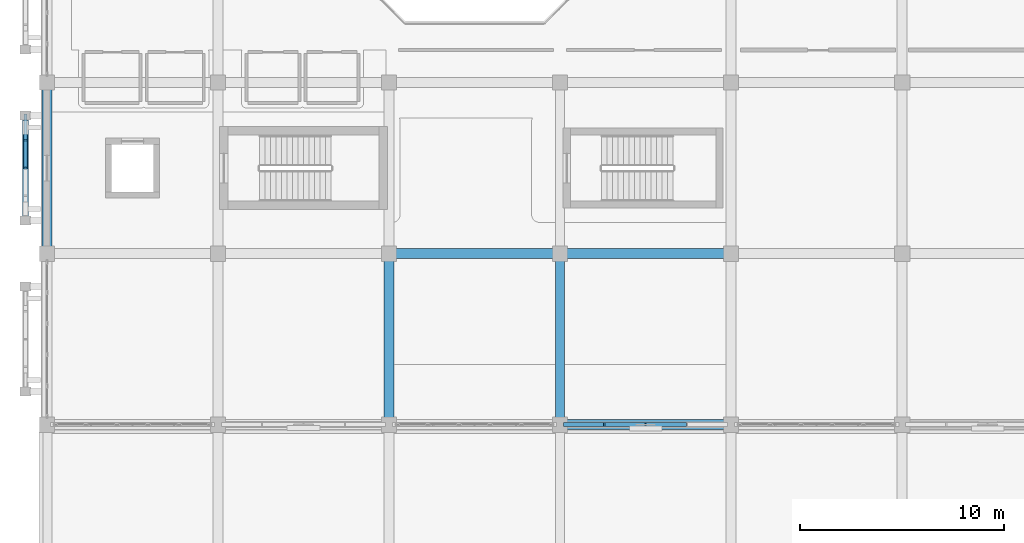
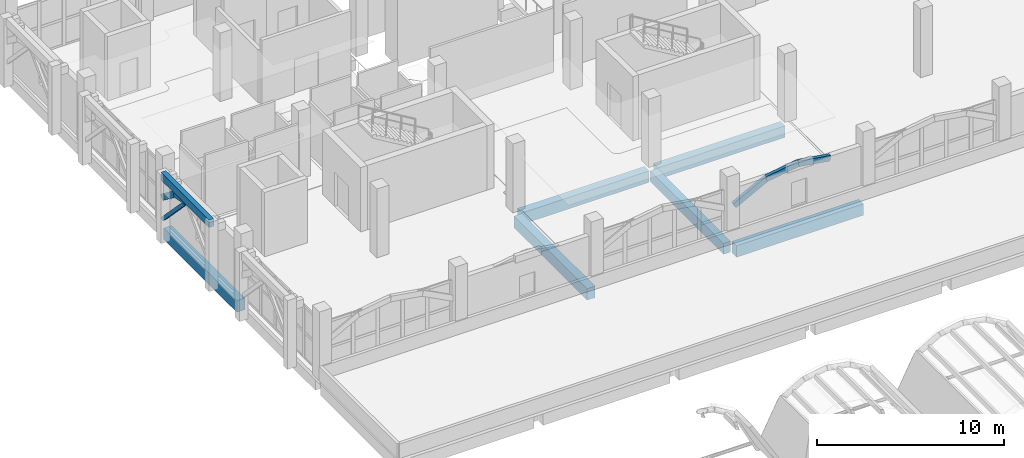
# One storey, part 42 of 114: 7 beams, 6 members.
"""IFC4 building model written with IfcOpenShell, lengths in metres."""

from ifc_helpers import new_model, si_unit, direction, frame, origin, origin_2d, place, context, subcontext, project, spatial, rectangle, extrude, material, material_profile, profile_set, type_object, element, save


model = new_model("IFC4")

# Units and contexts
model_context = context("Model", 3, precision=1e-05, world=origin(), true_north=direction((0.0, 1.0)))
body_context = subcontext(model_context, "Body", "Model", "MODEL_VIEW")
ifc_project = project(units=[si_unit("LENGTHUNIT", "METRE"), si_unit("AREAUNIT", "SQUARE_METRE"), si_unit("VOLUMEUNIT", "CUBIC_METRE"), si_unit("PLANEANGLEUNIT", "RADIAN"), si_unit("MASSUNIT", "GRAM", prefix="KILO")], contexts=[model_context])

# Site, building, storey
site_placement = place(None, origin())
site = spatial("IfcSite", under=ifc_project, at=site_placement, CompositionType="ELEMENT")
building_placement = place(site_placement, origin())
building = spatial("IfcBuilding", under=site, at=building_placement, Name="Xazarin Passage Department Store", CompositionType="ELEMENT")
storey_placement = place(building_placement, frame((0.0, 0.0, 14.39990234375)))
storey = spatial("IfcBuildingStorey", under=building, at=storey_placement, Name="L03", CompositionType="ELEMENT", Elevation=14.39990234375)

# Beams
ifc_material_1 = material(Name="Concrete C35/45", Category="concrete")
ifc_material_profile_1 = material_profile(ifc_material_1, rectangle(XDim=0.449951171875, YDim=0.699951171875, at=origin_2d()), Name="RC 450x700")
ifc_profile_set_1 = profile_set([ifc_material_profile_1], Name="Concrete C35/45")
beam_type_1 = type_object("IfcBeamType", Name="STR-BM-G450x700", PredefinedType="BEAM", material=ifc_profile_set_1)
beam_1_placement = place(storey_placement, frame((25.199951171875, 68.280029296875, -0.64990234375), z_axis=(0.0, 1.0, 0.0), x_axis=(-1.0, 0.0, 0.0)))
element("IfcBeam", 1, at=beam_1_placement, inside=storey, type_object=beam_type_1, Name="L03 Grid Beam 4/K-L", PredefinedType="BEAM", context=body_context, shape_type="SweptSolid", body=[
    extrude(rectangle(XDim=0.449951171875, YDim=0.699951171875, at=origin_2d()), origin(), (0.0, 0.0, 1.0), 7.840087890625),
])
ifc_material_profile_2 = material_profile(ifc_material_1, rectangle(XDim=0.300048828125, YDim=0.5, at=origin_2d()), Name="RC 300x500")
ifc_profile_set_2 = profile_set([ifc_material_profile_2], Name="Concrete C35/45")
beam_type_2 = type_object("IfcBeamType", Name="STR-BM-LN300x500", PredefinedType="LINTEL", material=ifc_profile_set_2)
beam_2_placement = place(storey_placement, frame((-1.050048828125, 78.02001953125, 4.25), z_axis=(0.0, 1.0, 0.0), x_axis=(-1.0, 0.0, 0.0)))
element("IfcBeam", 2, at=beam_2_placement, inside=storey, type_object=beam_type_2, Name="L03 V1 Colonnade Spandrel Beam 011", PredefinedType="LINTEL", context=body_context, shape_type="SweptSolid", body=[
    extrude(rectangle(XDim=0.300048828125, YDim=0.5, at=origin_2d()), origin(), (0.0, 0.0, 1.0), 5.159912109375),
])
ifc_material_profile_3 = material_profile(ifc_material_1, rectangle(XDim=0.5, YDim=0.75, at=origin_2d()), Name="RC 500x750")
ifc_profile_set_3 = profile_set([ifc_material_profile_3], Name="Concrete C35/45")
beam_type_3 = type_object("IfcBeamType", Name="STR-BM-SP500x750", PredefinedType="SPANDREL", material=ifc_profile_set_3)
beam_3_placement = place(storey_placement, frame((25.47998046875, 68.0, -0.6748046875), z_axis=(1.0, 0.0, 0.0), x_axis=(0.0, 1.0, 0.0)))
element("IfcBeam", 3, at=beam_3_placement, inside=storey, type_object=beam_type_3, Name="L03 Grid Beam K/4-5", PredefinedType="SPANDREL", context=body_context, shape_type="SweptSolid", body=[
    extrude(rectangle(XDim=0.5, YDim=0.75, at=origin_2d()), origin(), (0.0, 0.0, 1.0), 7.840087890625),
])
beam_4_placement = place(storey_placement, frame((17.080078125, 76.39990234375, -0.6748046875), z_axis=(1.0, 0.0, 0.0), x_axis=(0.0, 1.0, 0.0)))
element("IfcBeam", 4, at=beam_4_placement, inside=storey, type_object=beam_type_3, Name="L03 Grid Beam L/3-4", PredefinedType="SPANDREL", context=body_context, shape_type="SweptSolid", body=[
    extrude(rectangle(XDim=0.5, YDim=0.75, at=origin_2d()), origin(), (0.0, 0.0, 1.0), 7.83984375),
])
for number, where, z_axis, x_axis, name in (
    (5, (25.47998046875, 76.39990234375, -0.6748046875), (1.0, 0.0, 0.0), (0.0, 1.0, 0.0), "L03 Grid Beam L/4-5"),
    (6, (0.0, 76.679931640625, -0.6748046875), (0.0, 1.0, 0.0), (-1.0, 0.0, 0.0), "L03 Grid Beam 1/L-M"),
    (7, (16.800048828125, 68.280029296875, -0.6748046875), (0.0, 1.0, 0.0), (-1.0, 0.0, 0.0), "L03 Grid Beam 3/K-L"),
):
    element("IfcBeam", number, at=place(storey_placement, frame(where, z_axis=z_axis, x_axis=x_axis)), inside=storey, type_object=beam_type_3, Name=name, PredefinedType="SPANDREL", context=body_context, shape_type="SweptSolid", body=[
        extrude(rectangle(XDim=0.5, YDim=0.75, at=origin_2d()), origin(), (0.0, 0.0, 1.0), 7.840087890625),
    ])

# Members
ifc_material_2 = material(Name="Concrete C40/50", Category="concrete")
ifc_material_profile_4 = material_profile(ifc_material_2, rectangle(XDim=0.199951171875, YDim=0.360107421875, at=origin_2d()), Name="RC 200x360")
ifc_profile_set_4 = profile_set([ifc_material_profile_4], Name="Concrete C40/50")
member_type_1 = type_object("IfcMemberType", Name="STR-MEM-ARC360", PredefinedType="CHORD", material=ifc_profile_set_4)
member_1_placement = place(storey_placement, frame((-1.050048828125, 80.60009765625, 4.080078125), z_axis=(0.0, 0.979737268571, -0.2002870055), x_axis=(-1.0, 0.0, 0.0)))
element("IfcMember", 8, at=member_1_placement, inside=storey, type_object=member_type_1, Name="L03 V1 Pierced Lattice Curved Arch 011.3", PredefinedType="CHORD", context=body_context, shape_type="SweptSolid", body=[
    extrude(rectangle(XDim=0.199951171875, YDim=0.360107421875, at=origin_2d()), origin(), (0.0, 0.0, 1.0), 1.31640625),
])
member_2_placement = place(storey_placement, frame((-1.050048828125, 81.889892578125, 3.81640625), z_axis=(0.0, 0.79440903847, -0.607383140692), x_axis=(-1.0, 0.0, 0.0)))
element("IfcMember", 9, at=member_2_placement, inside=storey, type_object=member_type_1, Name="L03 V1 Pierced Lattice Curved Arch 011.4", PredefinedType="CHORD", context=body_context, shape_type="SweptSolid", body=[
    extrude(rectangle(XDim=0.199951171875, YDim=0.360107421875, at=origin_2d()), origin(), (0.0, 0.0, 1.0), 1.623779296875),
])
member_3_placement = place(storey_placement, frame((25.449951171875, 68.0, 2.22998046875), z_axis=(0.88473311603, 0.0, 0.466097965454), x_axis=(0.0, 1.0, 0.0)))
element("IfcMember", 10, at=member_3_placement, inside=storey, type_object=member_type_1, Name="L03 V1 Upper Setback Pierced Arch 015.1", PredefinedType="CHORD", context=body_context, shape_type="SweptSolid", body=[
    extrude(rectangle(XDim=0.199951171875, YDim=0.360107421875, at=origin_2d()), origin(), (0.0, 0.0, 1.0), 2.232421875),
])
member_4_placement = place(storey_placement, frame((27.425048828125, 68.0, 3.2705078125), z_axis=(0.987935652704, 0.0, 0.154864928623), x_axis=(0.0, 1.0, 0.0)))
element("IfcMember", 11, at=member_4_placement, inside=storey, type_object=member_type_1, Name="L03 V1 Upper Setback Pierced Arch 015.2", PredefinedType="CHORD", context=body_context, shape_type="SweptSolid", body=[
    extrude(rectangle(XDim=0.199951171875, YDim=0.360107421875, at=origin_2d()), origin(), (0.0, 0.0, 1.0), 1.9990234375),
])
member_5_placement = place(storey_placement, frame((29.39990234375, 68.0, 3.580078125), z_axis=(0.987938581312, 0.0, -0.154846244883), x_axis=(0.0, 1.0, 0.0)))
element("IfcMember", 12, at=member_5_placement, inside=storey, type_object=member_type_1, Name="L03 V1 Upper Setback Pierced Arch 015.3", PredefinedType="CHORD", context=body_context, shape_type="SweptSolid", body=[
    extrude(rectangle(XDim=0.199951171875, YDim=0.360107421875, at=origin_2d()), origin(), (0.0, 0.0, 1.0), 1.999267578125),
])
ifc_material_profile_5 = material_profile(ifc_material_2, rectangle(XDim=0.159912109375, YDim=0.219970703125, at=origin_2d()), Name="RC 160x220")
ifc_profile_set_5 = profile_set([ifc_material_profile_5], Name="Concrete C40/50")
member_type_2 = type_object("IfcMemberType", Name="STR-MEM-TRC220", PredefinedType="CHORD", material=ifc_profile_set_5)
member_6_placement = place(storey_placement, frame((-1.050048828125, 80.60009765625, 4.080078125), z_axis=(0.0, 0.693524382622, -0.72043315492), x_axis=(-1.0, 0.0, 0.0)))
element("IfcMember", 13, at=member_6_placement, inside=storey, type_object=member_type_2, Name="L03 V1 Upper Lattice Tracery Arch 011R", PredefinedType="CHORD", context=body_context, shape_type="SweptSolid", body=[
    extrude(rectangle(XDim=0.159912109375, YDim=0.219970703125, at=origin_2d()), origin(), (0.0, 0.0, 1.0), 3.719970703125),
])

save(model, "model.ifc")
